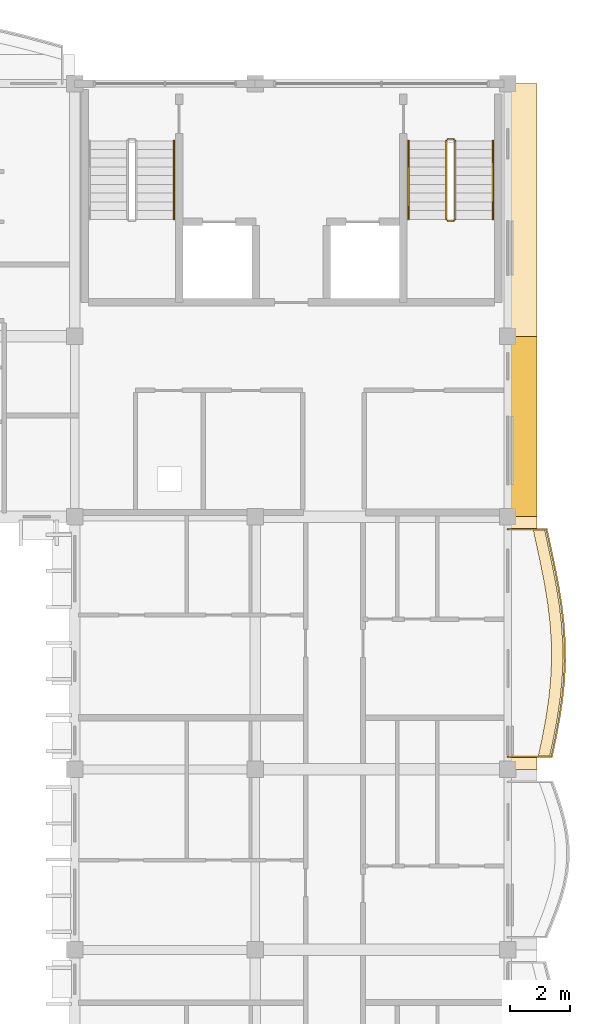
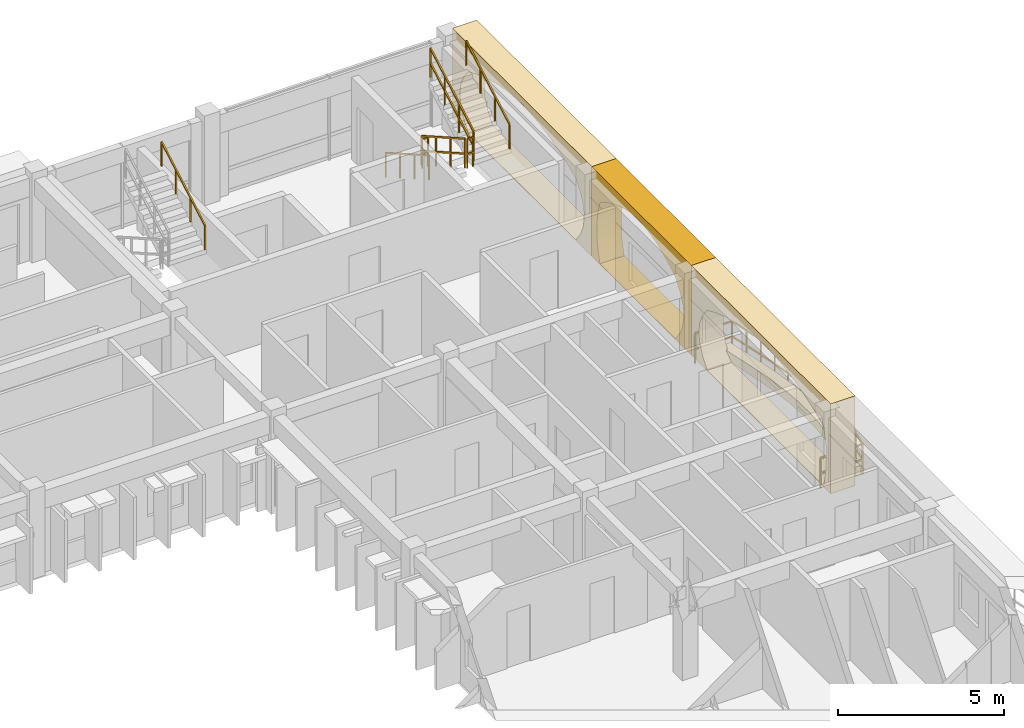
# One storey, part 45 of 45: 8 railings, 4 coverings.
"""IFC4 building model written with IfcOpenShell, lengths in metres."""

from ifc_helpers import new_model, si_unit, direction, frame, origin, origin_2d, place, context, subcontext, project, spatial, polyline, rectangle, outline, extrude, material, layer, layer_set, type_object, element, save


model = new_model("IFC4")

# Units and contexts
model_context = context("Model", 3, precision=1e-05, world=origin(), true_north=direction((0.0, 1.0)))
body_context = subcontext(model_context, "Body", "Model", "MODEL_VIEW")
ifc_project = project(units=[si_unit("LENGTHUNIT", "METRE"), si_unit("AREAUNIT", "SQUARE_METRE"), si_unit("VOLUMEUNIT", "CUBIC_METRE"), si_unit("PLANEANGLEUNIT", "RADIAN"), si_unit("MASSUNIT", "GRAM", prefix="KILO"), si_unit("THERMODYNAMICTEMPERATUREUNIT", "KELVIN")], contexts=[model_context])

# Site, building, storey
site_placement = place(None, origin())
site = spatial("IfcSite", under=ifc_project, at=site_placement, CompositionType="ELEMENT")
building_placement = place(site_placement, origin())
building = spatial("IfcBuilding", under=site, at=building_placement, Name="Thalorik Housing Commons", CompositionType="ELEMENT")
storey_placement = place(building_placement, frame((0.0, 0.0, 34.5)))
storey = spatial("IfcBuildingStorey", under=building, at=storey_placement, Name="L10", CompositionType="ELEMENT", Elevation=34.5)

# Coverings
ifc_material_1 = material(Name="Precast concrete C40/50", Category="concrete")
ifc_layer_1 = layer(ifc_material_1, 0.85009765625, Name="Precast concrete C40/50", Category="concrete")
ifc_layer_set_1 = layer_set([ifc_layer_1], Name="Precast concrete C40/50")
covering_type_1 = type_object("IfcCoveringType", Name="ARC-CLD-CUSH-850", PredefinedType="CLADDING", material=ifc_layer_set_1)
covering_1_placement = place(storey_placement, frame((167.33740234375, 112.199951171875, 0.0), z_axis=(0.0, 0.0, 1.0), x_axis=(0.0, 1.0, 0.0)))
element("IfcCovering", 1, at=covering_1_placement, inside=storey, type_object=covering_type_1, Name="L10 White Precast Curved Cushion Bay Frame 3038", PredefinedType="CLADDING", context=body_context, shape_type="SweptSolid", body=[
    extrude(outline(polyline([(-3.0, 0.0), (3.0, 0.0), (3.0, 3.300048828125), (-3.0, 3.300048828125), (-3.0, 0.0)]), holes=[polyline([(2.5048828125, 0.02490234375), (2.609619140625, 0.40087890625), (2.672119140625, 0.776611328125), (2.693115234375, 1.152587890625), (2.672119140625, 1.5283203125), (2.609619140625, 1.904296875), (2.5048828125, 2.280029296875), (2.126220703125, 2.51123046875), (1.74755859375, 2.693115234375), (1.36865234375, 2.840087890625), (0.989990234375, 2.94970703125), (0.611083984375, 3.01708984375), (0.232421875, 3.0400390625), (-0.146240234375, 3.01708984375), (-0.52490234375, 2.94970703125), (-0.90380859375, 2.840087890625), (-1.282470703125, 2.693115234375), (-1.6611328125, 2.51123046875), (-2.0400390625, 2.280029296875), (-2.3232421875, 1.904296875), (-2.493408203125, 1.5283203125), (-2.550048828125, 1.152587890625), (-2.493408203125, 0.776611328125), (-2.3232421875, 0.40087890625), (-2.0400390625, 0.02490234375), (2.5048828125, 0.02490234375)])]), frame((0.0, 0.425048828125, 0.0), z_axis=(0.0, -1.0, 0.0), x_axis=(1.0, 0.0, 0.0)), (0.0, 0.0, 1.0), 0.85009765625),
])
covering_2_placement = place(storey_placement, frame((167.33740234375, 119.39990234375, 0.0), z_axis=(0.0, 0.0, 1.0), x_axis=(0.0, 1.0, 0.0)))
element("IfcCovering", 2, at=covering_2_placement, inside=storey, type_object=covering_type_1, Name="L10 White Precast Curved Cushion Bay Frame 3040", PredefinedType="CLADDING", context=body_context, shape_type="SweptSolid", body=[
    extrude(outline(polyline([(-4.199951171875, 0.0), (4.199951171875, 0.0), (4.199951171875, 3.300048828125), (-4.199951171875, 3.300048828125), (-4.199951171875, 0.0)]), holes=[polyline([(3.239990234375, 0.02490234375), (3.523193359375, 0.40087890625), (3.693359375, 0.776611328125), (3.75, 1.152587890625), (3.693359375, 1.5283203125), (3.523193359375, 1.904296875), (3.239990234375, 2.280029296875), (2.699951171875, 2.51123046875), (2.159912109375, 2.693115234375), (1.6201171875, 2.840087890625), (1.080078125, 2.94970703125), (0.5400390625, 3.01708984375), (0.0, 3.0400390625), (-0.5400390625, 3.01708984375), (-1.080078125, 2.94970703125), (-1.6201171875, 2.840087890625), (-2.159912109375, 2.693115234375), (-2.699951171875, 2.51123046875), (-3.239990234375, 2.280029296875), (-3.523193359375, 1.904296875), (-3.693359375, 1.5283203125), (-3.75, 1.152587890625), (-3.693359375, 0.776611328125), (-3.523193359375, 0.40087890625), (-3.239990234375, 0.02490234375), (3.239990234375, 0.02490234375)])]), frame((0.0, 0.425048828125, 0.0), z_axis=(0.0, -1.0, 0.0), x_axis=(1.0, 0.0, 0.0)), (0.0, 0.0, 1.0), 0.85009765625),
])
covering_3_placement = place(storey_placement, frame((167.33740234375, 105.0, 0.0), z_axis=(0.0, 0.0, 1.0), x_axis=(0.0, 1.0, 0.0)))
element("IfcCovering", 3, at=covering_3_placement, inside=storey, type_object=covering_type_1, Name="L10 White Precast Curved Cushion Bay Frame 3164", PredefinedType="CLADDING", context=body_context, shape_type="SweptSolid", body=[
    extrude(outline(polyline([(-4.199951171875, 0.0), (4.199951171875, 0.0), (4.199951171875, 3.300048828125), (-4.199951171875, 3.300048828125), (-4.199951171875, 0.0)]), holes=[polyline([(3.239990234375, 0.02490234375), (3.523193359375, 0.394287109375), (3.693359375, 0.76318359375), (3.75, 1.132568359375), (3.693359375, 1.501708984375), (3.523193359375, 1.870849609375), (3.239990234375, 2.239990234375), (2.65576171875, 2.4833984375), (2.07177734375, 2.6748046875), (1.487548828125, 2.82958984375), (0.9033203125, 2.94482421875), (0.319091796875, 3.01611328125), (-0.264892578125, 3.0400390625), (-0.84912109375, 3.01611328125), (-1.433349609375, 2.94482421875), (-2.017578125, 2.82958984375), (-2.601806640625, 2.6748046875), (-3.185791015625, 2.4833984375), (-3.77001953125, 2.239990234375), (-3.86083984375, 1.870849609375), (-3.915283203125, 1.501708984375), (-3.933349609375, 1.132568359375), (-3.915283203125, 0.76318359375), (-3.86083984375, 0.394287109375), (-3.77001953125, 0.02490234375), (3.239990234375, 0.02490234375)])]), frame((0.0, 0.425048828125, 0.0), z_axis=(0.0, -1.0, 0.0), x_axis=(1.0, 0.0, 0.0)), (0.0, 0.0, 1.0), 0.85009765625),
])
ifc_material_2 = material(Name="Planted vegetated substrate and terracotta trough", Category="masonry")
ifc_layer_2 = layer(ifc_material_2, 0.340087890625, Name="Planted vegetated substrate and terracotta trough", Category="masonry")
ifc_layer_set_2 = layer_set([ifc_layer_2], Name="Planted vegetated substrate and terracotta trough")
covering_type_2 = type_object("IfcCoveringType", Name="ARC-COV-PLANTER", PredefinedType="USERDEFINED", material=ifc_layer_set_2)
covering_4_placement = place(storey_placement, origin())
element("IfcCovering", 4, at=covering_4_placement, inside=storey, type_object=covering_type_2, Name="L10 Balcony Slab-Edge Planted Trough 5548", ObjectType="PLANTER", PredefinedType="USERDEFINED", context=body_context, shape_type="SweptSolid", body=[
    extrude(outline(polyline([(168.189453125, 101.219970703125), (168.323486328125, 101.85009765625), (168.44189453125, 102.47998046875), (168.536376953125, 103.110107421875), (168.601318359375, 103.739990234375), (168.632080078125, 104.3701171875), (168.626953125, 105.0), (168.586181640625, 105.6298828125), (168.51318359375, 106.260009765625), (168.412841796875, 106.889892578125), (168.291748046875, 107.52001953125), (168.158447265625, 108.14990234375), (168.021728515625, 108.780029296875), (167.6416015625, 108.780029296875), (167.778564453125, 108.14990234375), (167.911865234375, 107.52001953125), (168.03271484375, 106.889892578125), (168.13330078125, 106.260009765625), (168.206298828125, 105.6298828125), (168.246826171875, 105.0), (168.251953125, 104.3701171875), (168.22119140625, 103.739990234375), (168.156494140625, 103.110107421875), (168.061767578125, 102.47998046875), (167.943603515625, 101.85009765625), (167.8095703125, 101.219970703125), (168.189453125, 101.219970703125)])), origin(), (0.0, 0.0, 1.0), 0.340087890625),
])

# Railings
ifc_material_3 = material(Name="Steel S355", Category="steel")
railing_type_1 = type_object("IfcRailingType", Name="ARC-RL-BAL-112", PredefinedType="BALUSTRADE", material=ifc_material_3)
railing_1_placement = place(storey_placement, frame((166.800048828125, 101.219970703125, 0.0)))
element("IfcRailing", 5, at=railing_1_placement, inside=storey, type_object=railing_type_1, Name="L10 Cushion Balcony Guardrail 232", PredefinedType="BALUSTRADE", context=body_context, shape_type="SweptSolid", body=[
    extrude(rectangle(XDim=0.050048828125, YDim=0.050048828125, at=origin_2d()), frame((0.0, 0.0, 1.09521484375), z_axis=(1.0, 0.0, 0.0), x_axis=(0.0, 1.0, 0.0)), (0.0, 0.0, 1.0), 1.45947265625),
    extrude(rectangle(XDim=0.050048828125, YDim=0.050048828125, at=origin_2d()), frame((0.0, 0.0, 0.53515625), z_axis=(1.0, 0.0, 0.0), x_axis=(0.0, 1.0, 0.0)), (0.0, 0.0, 1.0), 1.45947265625),
    extrude(rectangle(XDim=0.050048828125, YDim=0.050048828125, at=origin_2d()), frame((1.45947265625, 0.0, 1.09521484375), z_axis=(0.208053646486, 0.978117416358, 0.0), x_axis=(-0.978117416358, 0.208053646486, 0.0)), (0.0, 0.0, 1.0), 0.644287109375),
    extrude(rectangle(XDim=0.050048828125, YDim=0.050048828125, at=origin_2d()), frame((1.45947265625, 0.0, 0.53515625), z_axis=(0.208053646486, 0.978117416358, 0.0), x_axis=(-0.978117416358, 0.208053646486, 0.0)), (0.0, 0.0, 1.0), 0.644287109375),
    extrude(rectangle(XDim=0.050048828125, YDim=0.050048828125, at=origin_2d()), frame((1.593505859375, 0.630126953125, 1.09521484375), z_axis=(0.18438053763, 0.982854931993, 0.0), x_axis=(-0.982854931993, 0.18438053763, 0.0)), (0.0, 0.0, 1.0), 0.640869140625),
    extrude(rectangle(XDim=0.050048828125, YDim=0.050048828125, at=origin_2d()), frame((1.593505859375, 0.630126953125, 0.53515625), z_axis=(0.18438053763, 0.982854931993, 0.0), x_axis=(-0.982854931993, 0.18438053763, 0.0)), (0.0, 0.0, 1.0), 0.640869140625),
    extrude(rectangle(XDim=0.050048828125, YDim=0.050048828125, at=origin_2d()), frame((1.711669921875, 1.260009765625, 1.09521484375), z_axis=(0.148658949274, 0.988888525973, 0.0), x_axis=(-0.988888525973, 0.148658949274, 0.0)), (0.0, 0.0, 1.0), 0.63720703125),
    extrude(rectangle(XDim=0.050048828125, YDim=0.050048828125, at=origin_2d()), frame((1.711669921875, 1.260009765625, 0.53515625), z_axis=(0.148658949274, 0.988888525973, 0.0), x_axis=(-0.988888525973, 0.148658949274, 0.0)), (0.0, 0.0, 1.0), 0.63720703125),
    extrude(rectangle(XDim=0.050048828125, YDim=0.050048828125, at=origin_2d()), frame((1.806396484375, 1.89013671875, 1.09521484375), z_axis=(0.102175616173, 0.994766376321, 0.0), x_axis=(-0.994766376321, 0.102175616173, 0.0)), (0.0, 0.0, 1.0), 0.63330078125),
    extrude(rectangle(XDim=0.050048828125, YDim=0.050048828125, at=origin_2d()), frame((1.806396484375, 1.89013671875, 0.53515625), z_axis=(0.102175616173, 0.994766376321, 0.0), x_axis=(-0.994766376321, 0.102175616173, 0.0)), (0.0, 0.0, 1.0), 0.63330078125),
    extrude(rectangle(XDim=0.050048828125, YDim=0.050048828125, at=origin_2d()), frame((1.87109375, 2.52001953125, 1.09521484375), z_axis=(0.048760218772, 0.998810513093, 0.0), x_axis=(-0.998810513093, 0.048760218772, 0.0)), (0.0, 0.0, 1.0), 0.630859375),
    extrude(rectangle(XDim=0.050048828125, YDim=0.050048828125, at=origin_2d()), frame((1.87109375, 2.52001953125, 0.53515625), z_axis=(0.048760218772, 0.998810513093, 0.0), x_axis=(-0.998810513093, 0.048760218772, 0.0)), (0.0, 0.0, 1.0), 0.630859375),
    extrude(rectangle(XDim=0.050048828125, YDim=0.050048828125, at=origin_2d()), frame((1.90185546875, 3.150146484375, 1.09521484375), z_axis=(-0.007751705078, 0.999969955083, 0.0), x_axis=(-0.999969955083, -0.007751705078, 0.0)), (0.0, 0.0, 1.0), 0.6298828125),
    extrude(rectangle(XDim=0.050048828125, YDim=0.050048828125, at=origin_2d()), frame((1.90185546875, 3.150146484375, 0.53515625), z_axis=(-0.007751705078, 0.999969955083, 0.0), x_axis=(-0.999969955083, -0.007751705078, 0.0)), (0.0, 0.0, 1.0), 0.6298828125),
    extrude(rectangle(XDim=0.050048828125, YDim=0.050048828125, at=origin_2d()), frame((1.89697265625, 3.780029296875, 1.09521484375), z_axis=(-0.064593506601, 0.997911658868, 0.0), x_axis=(-0.997911658868, -0.064593506601, 0.0)), (0.0, 0.0, 1.0), 0.631103515625),
    extrude(rectangle(XDim=0.050048828125, YDim=0.050048828125, at=origin_2d()), frame((1.89697265625, 3.780029296875, 0.53515625), z_axis=(-0.064593506601, 0.997911658868, 0.0), x_axis=(-0.997911658868, -0.064593506601, 0.0)), (0.0, 0.0, 1.0), 0.631103515625),
    extrude(rectangle(XDim=0.050048828125, YDim=0.050048828125, at=origin_2d()), frame((1.856201171875, 4.409912109375, 1.09521484375), z_axis=(-0.115076953652, 0.993356579853, 0.0), x_axis=(-0.993356579853, -0.115076953652, 0.0)), (0.0, 0.0, 1.0), 0.63427734375),
    extrude(rectangle(XDim=0.050048828125, YDim=0.050048828125, at=origin_2d()), frame((1.856201171875, 4.409912109375, 0.53515625), z_axis=(-0.115076953652, 0.993356579853, 0.0), x_axis=(-0.993356579853, -0.115076953652, 0.0)), (0.0, 0.0, 1.0), 0.63427734375),
    extrude(rectangle(XDim=0.050048828125, YDim=0.050048828125, at=origin_2d()), frame((1.783203125, 5.0400390625, 1.09521484375), z_axis=(-0.157318675445, 0.987547889652, 0.0), x_axis=(-0.987547889652, -0.157318675445, 0.0)), (0.0, 0.0, 1.0), 0.637939453125),
    extrude(rectangle(XDim=0.050048828125, YDim=0.050048828125, at=origin_2d()), frame((1.783203125, 5.0400390625, 0.53515625), z_axis=(-0.157318675445, 0.987547889652, 0.0), x_axis=(-0.987547889652, -0.157318675445, 0.0)), (0.0, 0.0, 1.0), 0.637939453125),
    extrude(rectangle(XDim=0.050048828125, YDim=0.050048828125, at=origin_2d()), frame((1.682861328125, 5.669921875, 1.09521484375), z_axis=(-0.188720382932, 0.982030863602, 0.0), x_axis=(-0.982030863602, -0.188720382932, 0.0)), (0.0, 0.0, 1.0), 0.6416015625),
    extrude(rectangle(XDim=0.050048828125, YDim=0.050048828125, at=origin_2d()), frame((1.682861328125, 5.669921875, 0.53515625), z_axis=(-0.188720382932, 0.982030863602, 0.0), x_axis=(-0.982030863602, -0.188720382932, 0.0)), (0.0, 0.0, 1.0), 0.6416015625),
    extrude(rectangle(XDim=0.050048828125, YDim=0.050048828125, at=origin_2d()), frame((1.561767578125, 6.300048828125, 1.09521484375), z_axis=(-0.207042349517, 0.978331981235, 0.0), x_axis=(-0.978331981235, -0.207042349517, 0.0)), (0.0, 0.0, 1.0), 0.643798828125),
    extrude(rectangle(XDim=0.050048828125, YDim=0.050048828125, at=origin_2d()), frame((1.561767578125, 6.300048828125, 0.53515625), z_axis=(-0.207042349517, 0.978331981235, 0.0), x_axis=(-0.978331981235, -0.207042349517, 0.0)), (0.0, 0.0, 1.0), 0.643798828125),
    extrude(rectangle(XDim=0.050048828125, YDim=0.050048828125, at=origin_2d()), frame((1.428466796875, 6.929931640625, 1.09521484375), z_axis=(-0.212036637638, 0.977261717402, 0.0), x_axis=(-0.977261717402, -0.212036637638, 0.0)), (0.0, 0.0, 1.0), 0.644775390625),
    extrude(rectangle(XDim=0.050048828125, YDim=0.050048828125, at=origin_2d()), frame((1.428466796875, 6.929931640625, 0.53515625), z_axis=(-0.212036637638, 0.977261717402, 0.0), x_axis=(-0.977261717402, -0.212036637638, 0.0)), (0.0, 0.0, 1.0), 0.644775390625),
    extrude(rectangle(XDim=0.050048828125, YDim=0.050048828125, at=origin_2d()), frame((1.291748046875, 7.56005859375, 1.09521484375), z_axis=(-1.0, 0.0, 0.0), x_axis=(0.0, -1.0, 0.0)), (0.0, 0.0, 1.0), 1.291748046875),
    extrude(rectangle(XDim=0.050048828125, YDim=0.050048828125, at=origin_2d()), frame((1.291748046875, 7.56005859375, 0.53515625), z_axis=(-1.0, 0.0, 0.0), x_axis=(0.0, -1.0, 0.0)), (0.0, 0.0, 1.0), 1.291748046875),
    extrude(rectangle(XDim=0.0419921875, YDim=0.0419921875, at=origin_2d()), origin(), (0.0, 0.0, 1.0), 1.070068359375),
    extrude(rectangle(XDim=0.0419921875, YDim=0.0419921875, at=origin_2d()), frame((1.45947265625, 0.0, 0.0)), (0.0, 0.0, 1.0), 1.070068359375),
    extrude(rectangle(XDim=0.0419921875, YDim=0.0419921875, at=origin_2d()), frame((1.593505859375, 0.630126953125, 0.0)), (0.0, 0.0, 1.0), 1.070068359375),
    extrude(rectangle(XDim=0.0419921875, YDim=0.0419921875, at=origin_2d()), frame((1.711669921875, 1.260009765625, 0.0)), (0.0, 0.0, 1.0), 1.070068359375),
    extrude(rectangle(XDim=0.0419921875, YDim=0.0419921875, at=origin_2d()), frame((1.806396484375, 1.89013671875, 0.0)), (0.0, 0.0, 1.0), 1.070068359375),
    extrude(rectangle(XDim=0.0419921875, YDim=0.0419921875, at=origin_2d()), frame((1.87109375, 2.52001953125, 0.0)), (0.0, 0.0, 1.0), 1.070068359375),
    extrude(rectangle(XDim=0.0419921875, YDim=0.0419921875, at=origin_2d()), frame((1.90185546875, 3.150146484375, 0.0)), (0.0, 0.0, 1.0), 1.070068359375),
    extrude(rectangle(XDim=0.0419921875, YDim=0.0419921875, at=origin_2d()), frame((1.89697265625, 3.780029296875, 0.0)), (0.0, 0.0, 1.0), 1.070068359375),
    extrude(rectangle(XDim=0.0419921875, YDim=0.0419921875, at=origin_2d()), frame((1.856201171875, 4.409912109375, 0.0)), (0.0, 0.0, 1.0), 1.070068359375),
    extrude(rectangle(XDim=0.0419921875, YDim=0.0419921875, at=origin_2d()), frame((1.783203125, 5.0400390625, 0.0)), (0.0, 0.0, 1.0), 1.070068359375),
    extrude(rectangle(XDim=0.0419921875, YDim=0.0419921875, at=origin_2d()), frame((1.682861328125, 5.669921875, 0.0)), (0.0, 0.0, 1.0), 1.070068359375),
    extrude(rectangle(XDim=0.0419921875, YDim=0.0419921875, at=origin_2d()), frame((1.561767578125, 6.300048828125, 0.0)), (0.0, 0.0, 1.0), 1.070068359375),
    extrude(rectangle(XDim=0.0419921875, YDim=0.0419921875, at=origin_2d()), frame((1.428466796875, 6.929931640625, 0.0)), (0.0, 0.0, 1.0), 1.070068359375),
    extrude(rectangle(XDim=0.0419921875, YDim=0.0419921875, at=origin_2d()), frame((1.291748046875, 7.56005859375, 0.0)), (0.0, 0.0, 1.0), 1.070068359375),
    extrude(rectangle(XDim=0.0419921875, YDim=0.0419921875, at=origin_2d()), frame((0.0, 7.56005859375, 0.0)), (0.0, 0.0, 1.0), 1.070068359375),
])
railing_type_2 = type_object("IfcRailingType", Name="ARC-RL-STR-GRD110", PredefinedType="GUARDRAIL", material=ifc_material_3)
railing_2_placement = place(storey_placement, frame((164.75, 121.699951171875, 0.1650390625)))
element("IfcRailing", 6, at=railing_2_placement, inside=storey, type_object=railing_type_2, Name="L10 ST-B2 stair guard 1", PredefinedType="GUARDRAIL", context=body_context, shape_type="SweptSolid", body=[
    extrude(rectangle(XDim=0.048095703125, YDim=0.048095703125, at=origin_2d()), frame((0.0, 0.0, 1.076171875), z_axis=(0.0, -0.869172267526, 0.494509422927), x_axis=(1.0, 0.0, 0.0)), (0.0, 0.0, 1.0), 3.002685546875),
    extrude(rectangle(XDim=0.048095703125, YDim=0.048095703125, at=origin_2d()), frame((0.0, 0.0, 0.52587890625), z_axis=(0.0, -0.869172267526, 0.494509422927), x_axis=(1.0, 0.0, 0.0)), (0.0, 0.0, 1.0), 3.002685546875),
    extrude(rectangle(XDim=0.0419921875, YDim=0.0419921875, at=origin_2d()), origin(), (0.0, 0.0, 1.0), 1.052001953125),
    extrude(rectangle(XDim=0.0419921875, YDim=0.0419921875, at=origin_2d()), frame((0.0, -0.869873046875, 0.494873046875)), (0.0, 0.0, 1.0), 1.052001953125),
    extrude(rectangle(XDim=0.0419921875, YDim=0.0419921875, at=origin_2d()), frame((0.0, -1.739990234375, 0.989990234375)), (0.0, 0.0, 1.0), 1.052001953125),
    extrude(rectangle(XDim=0.0419921875, YDim=0.0419921875, at=origin_2d()), frame((0.0, -2.60986328125, 1.48486328125)), (0.0, 0.0, 1.0), 1.052001953125),
])
railing_3_placement = place(storey_placement, frame((164.800048828125, 119.0400390625, 1.64990234375)))
element("IfcRailing", 7, at=railing_3_placement, inside=storey, type_object=railing_type_2, Name="L10 ST-B2 stair guard 2", PredefinedType="GUARDRAIL", context=body_context, shape_type="SweptSolid", body=[
    extrude(rectangle(XDim=0.048095703125, YDim=0.048095703125, at=origin_2d()), frame((0.0, 0.0, 1.076171875), z_axis=(1.0, 0.0, 0.0), x_axis=(0.0, 1.0, 0.0)), (0.0, 0.0, 1.0), 0.199951171875),
    extrude(rectangle(XDim=0.048095703125, YDim=0.048095703125, at=origin_2d()), frame((0.0, 0.0, 0.52587890625), z_axis=(1.0, 0.0, 0.0), x_axis=(0.0, 1.0, 0.0)), (0.0, 0.0, 1.0), 0.199951171875),
    extrude(rectangle(XDim=0.0419921875, YDim=0.0419921875, at=origin_2d()), origin(), (0.0, 0.0, 1.0), 1.052001953125),
    extrude(rectangle(XDim=0.0419921875, YDim=0.0419921875, at=origin_2d()), frame((0.199951171875, 0.0, 0.0)), (0.0, 0.0, 1.0), 1.052001953125),
])
railing_4_placement = place(storey_placement, frame((165.050048828125, 119.090087890625, 1.81494140625)))
element("IfcRailing", 8, at=railing_4_placement, inside=storey, type_object=railing_type_2, Name="L10 ST-B2 stair guard 3", PredefinedType="GUARDRAIL", context=body_context, shape_type="SweptSolid", body=[
    extrude(rectangle(XDim=0.048095703125, YDim=0.048095703125, at=origin_2d()), frame((0.0, 0.0, 1.076171875), z_axis=(0.0, 0.869137319866, 0.494570843475), x_axis=(-1.0, 0.0, 0.0)), (0.0, 0.0, 1.0), 3.0029296875),
    extrude(rectangle(XDim=0.048095703125, YDim=0.048095703125, at=origin_2d()), frame((0.0, 0.0, 0.52587890625), z_axis=(0.0, 0.869137319866, 0.494570843475), x_axis=(-1.0, 0.0, 0.0)), (0.0, 0.0, 1.0), 3.0029296875),
    extrude(rectangle(XDim=0.0419921875, YDim=0.0419921875, at=origin_2d()), origin(), (0.0, 0.0, 1.0), 1.052001953125),
    extrude(rectangle(XDim=0.0419921875, YDim=0.0419921875, at=origin_2d()), frame((0.0, 0.869873046875, 0.4951171875)), (0.0, 0.0, 1.0), 1.052001953125),
    extrude(rectangle(XDim=0.0419921875, YDim=0.0419921875, at=origin_2d()), frame((0.0, 1.739990234375, 0.989990234375)), (0.0, 0.0, 1.0), 1.052001953125),
    extrude(rectangle(XDim=0.0419921875, YDim=0.0419921875, at=origin_2d()), frame((0.0, 2.60986328125, 1.485107421875)), (0.0, 0.0, 1.0), 1.052001953125),
])
railing_5_placement = place(storey_placement, frame((164.800048828125, 121.75, 0.0)))
element("IfcRailing", 9, at=railing_5_placement, inside=storey, type_object=railing_type_2, Name="L10 ST-B2 stair guard 4", PredefinedType="GUARDRAIL", context=body_context, shape_type="SweptSolid", body=[
    extrude(rectangle(XDim=0.048095703125, YDim=0.048095703125, at=origin_2d()), frame((0.0, 0.0, 1.076171875), z_axis=(1.0, 0.0, 0.0), x_axis=(0.0, 1.0, 0.0)), (0.0, 0.0, 1.0), 0.199951171875),
    extrude(rectangle(XDim=0.048095703125, YDim=0.048095703125, at=origin_2d()), frame((0.0, 0.0, 0.52587890625), z_axis=(1.0, 0.0, 0.0), x_axis=(0.0, 1.0, 0.0)), (0.0, 0.0, 1.0), 0.199951171875),
    extrude(rectangle(XDim=0.0419921875, YDim=0.0419921875, at=origin_2d()), origin(), (0.0, 0.0, 1.0), 1.052001953125),
    extrude(rectangle(XDim=0.0419921875, YDim=0.0419921875, at=origin_2d()), frame((0.199951171875, 0.0, 0.0)), (0.0, 0.0, 1.0), 1.052001953125),
])
railing_type_3 = type_object("IfcRailingType", Name="ARC-RL-STR-HR092", PredefinedType="HANDRAIL", material=ifc_material_3)
railing_6_placement = place(storey_placement, frame((155.699951171875, 119.090087890625, 1.81494140625)))
element("IfcRailing", 10, at=railing_6_placement, inside=storey, type_object=railing_type_3, Name="L10 ST-B1 stair handrail 2", PredefinedType="HANDRAIL", context=body_context, shape_type="SweptSolid", body=[
    extrude(rectangle(XDim=0.048095703125, YDim=0.048095703125, at=origin_2d()), frame((0.0, 0.0, 0.89599609375), z_axis=(0.0, 0.869137319866, 0.494570843475), x_axis=(-1.0, 0.0, 0.0)), (0.0, 0.0, 1.0), 3.0029296875),
    extrude(rectangle(XDim=0.0419921875, YDim=0.0419921875, at=origin_2d()), origin(), (0.0, 0.0, 1.0), 0.871826171875),
    extrude(rectangle(XDim=0.0419921875, YDim=0.0419921875, at=origin_2d()), frame((0.0, 0.869873046875, 0.4951171875)), (0.0, 0.0, 1.0), 0.871826171875),
    extrude(rectangle(XDim=0.0419921875, YDim=0.0419921875, at=origin_2d()), frame((0.0, 1.739990234375, 0.989990234375)), (0.0, 0.0, 1.0), 0.871826171875),
    extrude(rectangle(XDim=0.0419921875, YDim=0.0419921875, at=origin_2d()), frame((0.0, 2.60986328125, 1.485107421875)), (0.0, 0.0, 1.0), 0.871826171875),
])
railing_7_placement = place(storey_placement, frame((163.5, 121.699951171875, 0.1650390625)))
element("IfcRailing", 11, at=railing_7_placement, inside=storey, type_object=railing_type_3, Name="L10 ST-B2 stair handrail 1", PredefinedType="HANDRAIL", context=body_context, shape_type="SweptSolid", body=[
    extrude(rectangle(XDim=0.048095703125, YDim=0.048095703125, at=origin_2d()), frame((0.0, 0.0, 0.89599609375), z_axis=(0.0, -0.869172267526, 0.494509422927), x_axis=(1.0, 0.0, 0.0)), (0.0, 0.0, 1.0), 3.002685546875),
    extrude(rectangle(XDim=0.0419921875, YDim=0.0419921875, at=origin_2d()), origin(), (0.0, 0.0, 1.0), 0.871826171875),
    extrude(rectangle(XDim=0.0419921875, YDim=0.0419921875, at=origin_2d()), frame((0.0, -0.869873046875, 0.494873046875)), (0.0, 0.0, 1.0), 0.871826171875),
    extrude(rectangle(XDim=0.0419921875, YDim=0.0419921875, at=origin_2d()), frame((0.0, -1.739990234375, 0.989990234375)), (0.0, 0.0, 1.0), 0.871826171875),
    extrude(rectangle(XDim=0.0419921875, YDim=0.0419921875, at=origin_2d()), frame((0.0, -2.60986328125, 1.48486328125)), (0.0, 0.0, 1.0), 0.871826171875),
])
railing_8_placement = place(storey_placement, frame((166.300048828125, 119.090087890625, 1.81494140625)))
element("IfcRailing", 12, at=railing_8_placement, inside=storey, type_object=railing_type_3, Name="L10 ST-B2 stair handrail 2", PredefinedType="HANDRAIL", context=body_context, shape_type="SweptSolid", body=[
    extrude(rectangle(XDim=0.048095703125, YDim=0.048095703125, at=origin_2d()), frame((0.0, 0.0, 0.89599609375), z_axis=(0.0, 0.869137319866, 0.494570843475), x_axis=(-1.0, 0.0, 0.0)), (0.0, 0.0, 1.0), 3.0029296875),
    extrude(rectangle(XDim=0.0419921875, YDim=0.0419921875, at=origin_2d()), origin(), (0.0, 0.0, 1.0), 0.871826171875),
    extrude(rectangle(XDim=0.0419921875, YDim=0.0419921875, at=origin_2d()), frame((0.0, 0.869873046875, 0.4951171875)), (0.0, 0.0, 1.0), 0.871826171875),
    extrude(rectangle(XDim=0.0419921875, YDim=0.0419921875, at=origin_2d()), frame((0.0, 1.739990234375, 0.989990234375)), (0.0, 0.0, 1.0), 0.871826171875),
    extrude(rectangle(XDim=0.0419921875, YDim=0.0419921875, at=origin_2d()), frame((0.0, 2.60986328125, 1.485107421875)), (0.0, 0.0, 1.0), 0.871826171875),
])

save(model, "model.ifc")
